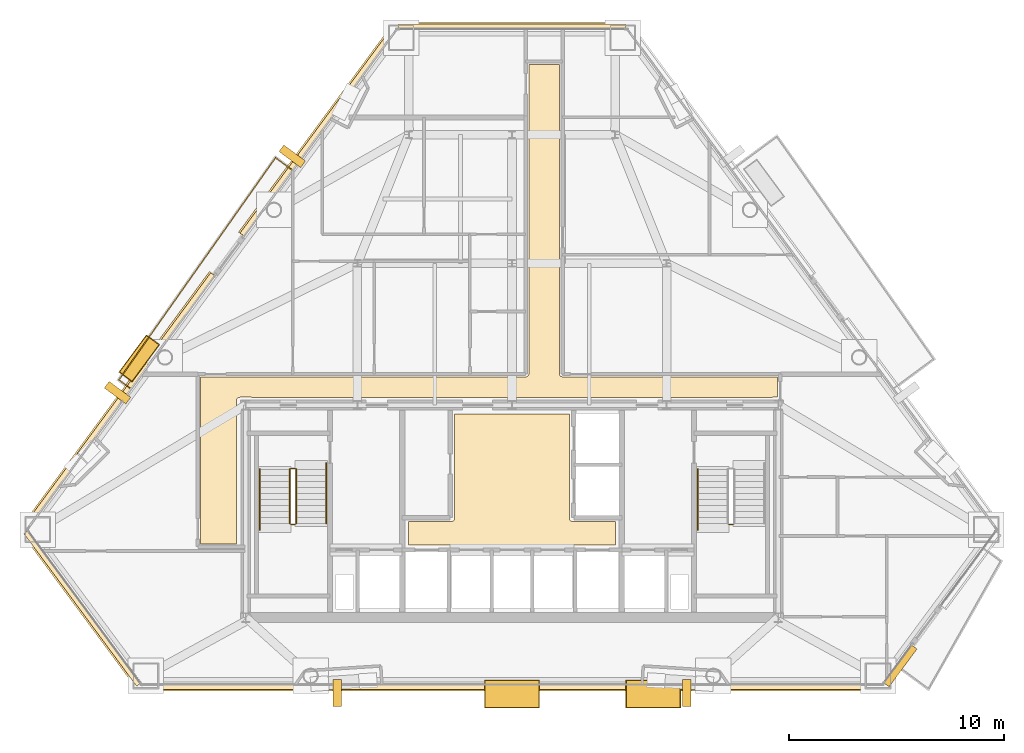
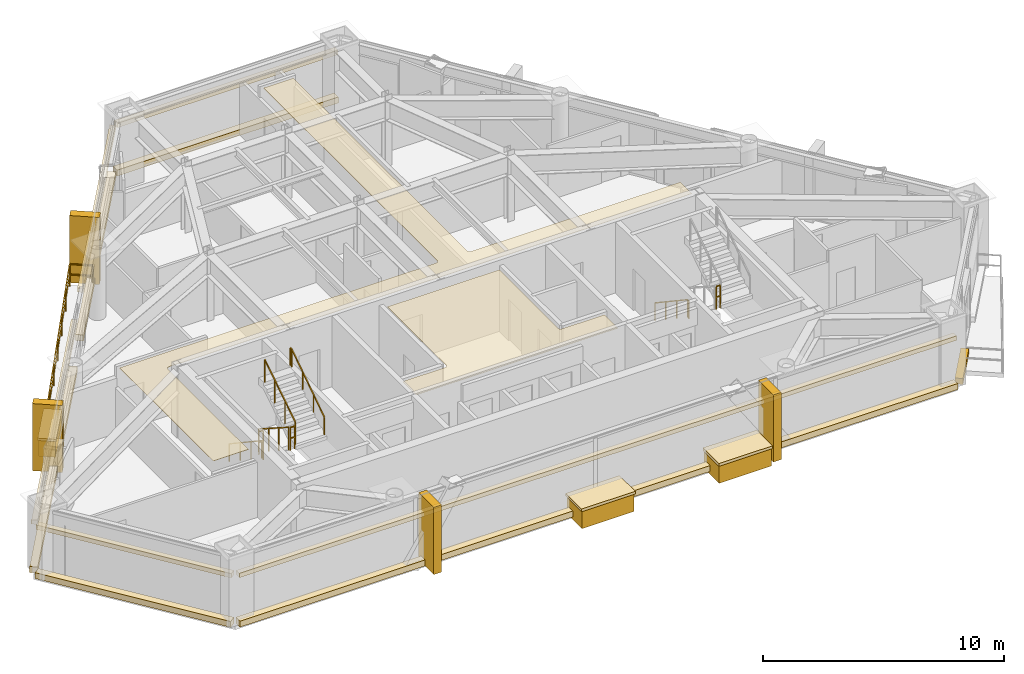
# One storey, part 10 of 11: 23 coverings, 9 railings.
"""IFC4 building model written with IfcOpenShell, lengths in metres."""

from ifc_helpers import new_model, si_unit, direction, frame, origin, origin_2d, place, context, subcontext, project, spatial, polyline, rectangle, outline, extrude, material, layer, layer_set, type_object, element, save


model = new_model("IFC4")

# Units and contexts
model_context = context("Model", 3, precision=1e-05, world=origin(), true_north=direction((0.0, 1.0)))
body_context = subcontext(model_context, "Body", "Model", "MODEL_VIEW")
ifc_project = project(units=[si_unit("LENGTHUNIT", "METRE"), si_unit("AREAUNIT", "SQUARE_METRE"), si_unit("VOLUMEUNIT", "CUBIC_METRE"), si_unit("PLANEANGLEUNIT", "RADIAN"), si_unit("MASSUNIT", "GRAM", prefix="KILO")], contexts=[model_context])

# Site, building, storey
site_placement = place(None, origin())
site = spatial("IfcSite", under=ifc_project, at=site_placement, CompositionType="ELEMENT")
building_placement = place(site_placement, origin())
building = spatial("IfcBuilding", under=site, at=building_placement, Name="Talgorran Terracotta Tower", CompositionType="ELEMENT")
storey_placement = place(building_placement, frame((0.0, 0.0, 140.10009765625)))
storey = spatial("IfcBuildingStorey", under=building, at=storey_placement, Name="L36", CompositionType="ELEMENT", Elevation=140.10009765625)

# Coverings
ifc_material_1 = material(Name="Kiln-Fired Terracotta Ochre Ceramic", Category="masonry")
ifc_layer_1 = layer(ifc_material_1, 0.179931640625, Name="COV_BAGUETTE_TERRACOTTA_SCREEN")
ifc_layer_set_1 = layer_set([ifc_layer_1], Name="Kiln-Fired Terracotta Ochre Ceramic")
covering_type_1 = type_object("IfcCoveringType", Name="COV_BAGUETTE_TERRACOTTA_SCREEN", PredefinedType="CLADDING", material=ifc_layer_set_1)
covering_1_placement = place(storey_placement, frame((-20.006591796875, -13.6689453125, 2.41015625), z_axis=(0.0, 0.0, 1.0), x_axis=(0.594359699802, -0.804199320598, 0.0)))
element("IfcCovering", 1, at=covering_1_placement, inside=storey, type_object=covering_type_1, Name="L36 Terracotta Baguette Solar Screen Assembly F0", PredefinedType="CLADDING", context=body_context, shape_type="SweptSolid", body=[
    extrude(rectangle(XDim=8.836181640625, YDim=0.260009765625, at=origin_2d()), origin(), (0.0, 0.0, 1.0), 0.219970703125),
])
covering_2_placement = place(storey_placement, frame((0.0, -17.31884765625, 2.41015625), z_axis=(0.0, 0.0, 1.0), x_axis=(1.0, 0.0, 0.0)))
element("IfcCovering", 2, at=covering_2_placement, inside=storey, type_object=covering_type_1, Name="L36 Terracotta Baguette Solar Screen Assembly F1", PredefinedType="CLADDING", context=body_context, shape_type="SweptSolid", body=[
    extrude(rectangle(XDim=34.377197265625, YDim=0.260009765625, at=origin_2d()), origin(), (0.0, 0.0, 1.0), 0.219970703125),
])
covering_3_placement = place(storey_placement, frame((0.0, 13.41357421875, 2.41015625), z_axis=(0.0, 0.0, 1.0), x_axis=(-1.0, 0.0, 0.0)))
element("IfcCovering", 3, at=covering_3_placement, inside=storey, type_object=covering_type_1, Name="L36 Terracotta Baguette Solar Screen Assembly F4", PredefinedType="CLADDING", context=body_context, shape_type="SweptSolid", body=[
    extrude(rectangle(XDim=10.586669921875, YDim=0.260009765625, at=origin_2d()), origin(), (0.0, 0.0, 1.0), 0.219970703125),
])
covering_4_placement = place(storey_placement, frame((-9.037109375, 8.510986328125, 2.41015625), z_axis=(0.0, 0.0, 1.0), x_axis=(-0.594359699802, -0.804199320598, 0.0)))
element("IfcCovering", 4, at=covering_4_placement, inside=storey, type_object=covering_type_1, Name="L36 Terracotta Baguette Solar Screen Assembly F60", PredefinedType="CLADDING", context=body_context, shape_type="SweptSolid", body=[
    extrude(rectangle(XDim=11.871337890625, YDim=0.260009765625, at=origin_2d()), origin(), (0.0, 0.0, 1.0), 0.219970703125),
])
covering_5_placement = place(storey_placement, frame((-18.2705078125, -3.982421875, 2.41015625), z_axis=(0.0, 0.0, 1.0), x_axis=(-0.594359699802, -0.804199320598, 0.0)))
element("IfcCovering", 5, at=covering_5_placement, inside=storey, type_object=covering_type_1, Name="L36 Terracotta Baguette Solar Screen Assembly F61", PredefinedType="CLADDING", context=body_context, shape_type="SweptSolid", body=[
    extrude(rectangle(XDim=14.598388671875, YDim=0.260009765625, at=origin_2d()), origin(), (0.0, 0.0, 1.0), 0.219970703125),
])
ifc_material_2 = material(Name="Mineral Fibre Acoustic Tile")
ifc_layer_2 = layer(ifc_material_2, 0.02490234375, Name="COV_CEIL_ACOUSTIC")
ifc_layer_set_2 = layer_set([ifc_layer_2], Name="Mineral Fibre Acoustic Tile")
covering_type_2 = type_object("IfcCoveringType", Name="COV_CEIL_ACOUSTIC", PredefinedType="CEILING", material=ifc_layer_set_2)
covering_6_placement = place(storey_placement, frame((0.0, 0.0, 3.260009765625)))
element("IfcCovering", 6, at=covering_6_placement, inside=storey, type_object=covering_type_2, Name="CEIL-L36-2", PredefinedType="CEILING", context=body_context, shape_type="SweptSolid", body=[
    extrude(outline(polyline([(-12.6884765625, -3.84521484375), (-12.703369140625, -3.84521484375), (-12.715087890625, -3.845947265625), (-12.7265625, -3.84765625), (-12.73779296875, -3.8505859375), (-12.748779296875, -3.8544921875), (-12.75927734375, -3.859375), (-12.76708984375, -3.863525390625), (-12.777099609375, -3.86962890625), (-12.78662109375, -3.876708984375), (-12.79541015625, -3.884521484375), (-12.803466796875, -3.893310546875), (-12.810302734375, -3.90283203125), (-12.81640625, -3.9130859375), (-12.820556640625, -3.920654296875), (-12.82568359375, -3.931396484375), (-12.82958984375, -3.9423828125), (-12.83251953125, -3.953857421875), (-12.833984375, -3.96533203125), (-12.834716796875, -3.97705078125), (-12.8349609375, -10.6650390625), (-14.514892578125, -10.6650390625), (-14.514892578125, -2.885009765625), (0.64990234375, -2.885009765625), (0.66162109375, -2.884521484375), (0.67333984375, -2.8828125), (0.6845703125, -2.8798828125), (0.69287109375, -2.87744140625), (0.7041015625, -2.87353515625), (0.714599609375, -2.868408203125), (0.724853515625, -2.8623046875), (0.734375, -2.85546875), (0.742919921875, -2.847412109375), (0.7509765625, -2.8388671875), (0.756591796875, -2.83203125), (0.763671875, -2.822509765625), (0.769775390625, -2.8125), (0.774658203125, -2.8017578125), (0.77880859375, -2.79052734375), (0.781494140625, -2.779296875), (0.783203125, -2.767578125), (0.783935546875, -2.755615234375), (0.784912109375, 11.6650390625), (2.215087890625, 11.6650390625), (2.215087890625, -2.75), (2.215576171875, -2.76171875), (2.21728515625, -2.773193359375), (2.22021484375, -2.78466796875), (2.22265625, -2.79296875), (2.2265625, -2.803955078125), (2.231689453125, -2.814697265625), (2.237548828125, -2.82470703125), (2.24462890625, -2.834228515625), (2.25244140625, -2.843017578125), (2.26123046875, -2.850830078125), (2.26806640625, -2.8564453125), (2.277587890625, -2.863525390625), (2.28759765625, -2.86962890625), (2.29833984375, -2.874755859375), (2.309326171875, -2.878662109375), (2.32080078125, -2.881591796875), (2.33251953125, -2.88330078125), (2.34423828125, -2.8837890625), (12.364990234375, -2.885009765625), (12.364990234375, -3.830078125), (12.169921875, -3.830078125), (12.158203125, -3.83056640625), (12.146484375, -3.832275390625), (12.13525390625, -3.835205078125), (12.1240234375, -3.839111328125), (12.11328125, -3.84423828125), (12.112060546875, -3.844970703125), (7.432861328125, -3.844970703125), (6.968017578125, -3.843017578125), (6.967529296875, -3.843017578125), (0.232666015625, -3.844970703125), (-0.23193359375, -3.843017578125), (-0.232421875, -3.843017578125), (-6.96728515625, -3.844970703125), (-7.431884765625, -3.843017578125), (-7.4326171875, -3.843017578125), (-12.112060546875, -3.844970703125), (-12.11328125, -3.84423828125), (-12.1240234375, -3.839111328125), (-12.13525390625, -3.835205078125), (-12.146484375, -3.832275390625), (-12.158203125, -3.83056640625), (-12.169921875, -3.830078125), (-12.6298828125, -3.830078125), (-12.641845703125, -3.83056640625), (-12.6533203125, -3.832275390625), (-12.664794921875, -3.835205078125), (-12.67578125, -3.839111328125), (-12.6865234375, -3.84423828125), (-12.6884765625, -3.84521484375)])), origin(), (0.0, 0.0, 1.0), 0.019775390625),
])
ifc_material_3 = material(Name="Flush Moisture-Resistant Plaster")
ifc_layer_3 = layer(ifc_material_3, 0.01806640625, Name="COV_CEIL_PLASTER")
ifc_layer_set_3 = layer_set([ifc_layer_3], Name="Flush Moisture-Resistant Plaster")
covering_type_3 = type_object("IfcCoveringType", Name="COV_CEIL_PLASTER", PredefinedType="CEILING", material=ifc_layer_set_3)
covering_7_placement = place(storey_placement, frame((0.0, 0.0, 3.260009765625)))
element("IfcCovering", 7, at=covering_7_placement, inside=storey, type_object=covering_type_3, Name="CEIL-L36-1", PredefinedType="CEILING", context=body_context, shape_type="SweptSolid", body=[
    extrude(outline(polyline([(-4.830078125, -9.6201171875), (-2.800048828125, -9.6201171875), (-2.7880859375, -9.619384765625), (-2.776611328125, -9.61767578125), (-2.76513671875, -9.61474609375), (-2.754150390625, -9.61083984375), (-2.743408203125, -9.605712890625), (-2.7333984375, -9.599853515625), (-2.723876953125, -9.5927734375), (-2.715087890625, -9.5849609375), (-2.707275390625, -9.576171875), (-2.7001953125, -9.566650390625), (-2.694091796875, -9.556640625), (-2.689208984375, -9.5458984375), (-2.685302734375, -9.534912109375), (-2.682373046875, -9.5234375), (-2.6806640625, -9.51171875), (-2.679931640625, -9.5), (-2.679931640625, -4.6201171875), (2.679931640625, -4.6201171875), (2.679931640625, -9.5), (2.6806640625, -9.51171875), (2.682373046875, -9.5234375), (2.685302734375, -9.534912109375), (2.689208984375, -9.5458984375), (2.694091796875, -9.556640625), (2.7001953125, -9.566650390625), (2.707275390625, -9.576171875), (2.715087890625, -9.5849609375), (2.723876953125, -9.5927734375), (2.7333984375, -9.599853515625), (2.743408203125, -9.605712890625), (2.754150390625, -9.61083984375), (2.76513671875, -9.61474609375), (2.776611328125, -9.61767578125), (2.7880859375, -9.619384765625), (2.800048828125, -9.6201171875), (4.830078125, -9.6201171875), (4.830078125, -10.72998046875), (-4.830078125, -10.72998046875), (-4.830078125, -9.6201171875)])), origin(), (0.0, 0.0, 1.0), 0.019775390625),
])
ifc_material_4 = material(Name="Honed Limestone and Terracotta Planter", Category="masonry")
ifc_layer_4 = layer(ifc_material_4, 0.1201171875, Name="COV_PLANTER_BOX")
ifc_layer_set_4 = layer_set([ifc_layer_4], Name="Honed Limestone and Terracotta Planter")
covering_type_4 = type_object("IfcCoveringType", Name="COV_PLANTER_BOX", PredefinedType="CLADDING", material=ifc_layer_set_4)
for number, where, z_axis, x_axis, name in (
    (8, (0.0, -17.658935546875, -0.18017578125), (0.0, 0.0, 1.0), (1.0, 0.0, 0.0), "L36 Staggered South Facade Planter Box 1"),
    (9, (6.581298828125, -17.658935546875, -0.18017578125), (0.0, 0.0, 1.0), (1.0, 0.0, 0.0), "L36 Staggered South Facade Planter Box 2"),
):
    element("IfcCovering", number, at=place(storey_placement, frame(where, z_axis=z_axis, x_axis=x_axis)), inside=storey, type_object=covering_type_4, Name=name, PredefinedType="CLADDING", context=body_context, shape_type="SweptSolid", body=[
        extrude(rectangle(XDim=2.5, YDim=1.25, at=origin_2d()), origin(), (0.0, 0.0, 1.0), 0.919921875),
    ])
covering_8_placement = place(storey_placement, frame((-17.365478515625, -2.02587890625, -0.02001953125), z_axis=(0.0, 0.0, 1.0), x_axis=(-0.594359699802, -0.804199320598, 0.0)))
element("IfcCovering", 10, at=covering_8_placement, inside=storey, type_object=covering_type_4, Name="L36 Staggered Balcony Planter Box BAL-NW", PredefinedType="CLADDING", context=body_context, shape_type="SweptSolid", body=[
    extrude(rectangle(XDim=2.10009765625, YDim=0.719970703125, at=origin_2d()), origin(), (0.0, 0.0, 1.0), 0.860107421875),
])
ifc_material_5 = material(Name="Kiln-Fired Terracotta Planter Rim", Category="masonry")
ifc_layer_5 = layer(ifc_material_5, 0.10009765625, Name="COV_PLANTER_RIM")
ifc_layer_set_5 = layer_set([ifc_layer_5], Name="Kiln-Fired Terracotta Planter Rim")
covering_type_5 = type_object("IfcCoveringType", Name="COV_PLANTER_RIM", PredefinedType="CLADDING", material=ifc_layer_set_5)
for number, where, z_axis, x_axis, name in (
    (11, (0.0, -17.658935546875, 0.7099609375), (0.0, 0.0, 1.0), (1.0, 0.0, 0.0), "L36 South Planter Terracotta Rim 1"),
    (12, (6.581298828125, -17.658935546875, 0.7099609375), (0.0, 0.0, 1.0), (1.0, 0.0, 0.0), "L36 South Planter Terracotta Rim 2"),
):
    element("IfcCovering", number, at=place(storey_placement, frame(where, z_axis=z_axis, x_axis=x_axis)), inside=storey, type_object=covering_type_5, Name=name, PredefinedType="CLADDING", context=body_context, shape_type="SweptSolid", body=[
        extrude(rectangle(XDim=2.580078125, YDim=1.320068359375, at=origin_2d()), origin(), (0.0, 0.0, 1.0), 0.139892578125),
    ])
covering_9_placement = place(storey_placement, frame((-17.365478515625, -2.02587890625, 0.7998046875), z_axis=(0.0, 0.0, 1.0), x_axis=(-0.594359699802, -0.804199320598, 0.0)))
element("IfcCovering", 13, at=covering_9_placement, inside=storey, type_object=covering_type_5, Name="L36 Balcony Planter Terracotta Rim BAL-NW", PredefinedType="CLADDING", context=body_context, shape_type="SweptSolid", body=[
    extrude(rectangle(XDim=2.179931640625, YDim=0.780029296875, at=origin_2d()), origin(), (0.0, 0.0, 1.0), 0.1201171875),
])
ifc_material_6 = material(Name="Honed Limestone Cladding", Category="masonry")
ifc_layer_6 = layer(ifc_material_6, 0.094970703125, Name="COV_PORTAL_LIME")
ifc_layer_set_6 = layer_set([ifc_layer_6], Name="Honed Limestone Cladding")
covering_type_6 = type_object("IfcCoveringType", Name="COV_PORTAL_LIME", PredefinedType="CLADDING", material=ifc_layer_set_6)
covering_10_placement = place(storey_placement, frame((-20.038818359375, -13.69287109375, -0.0400390625), z_axis=(0.0, 0.0, 1.0), x_axis=(0.594359699802, -0.804199320598, 0.0)))
element("IfcCovering", 14, at=covering_10_placement, inside=storey, type_object=covering_type_6, Name="L36 Striped Postmodern Portal Cladding Band F0", PredefinedType="CLADDING", context=body_context, shape_type="SweptSolid", body=[
    extrude(rectangle(XDim=8.856201171875, YDim=0.340087890625, at=origin_2d()), origin(), (0.0, 0.0, 1.0), 0.300048828125),
])
covering_11_placement = place(storey_placement, frame((0.0, -17.35888671875, -0.0400390625), z_axis=(0.0, 0.0, 1.0), x_axis=(1.0, 0.0, 0.0)))
element("IfcCovering", 15, at=covering_11_placement, inside=storey, type_object=covering_type_6, Name="L36 Striped Postmodern Portal Cladding Band F1", PredefinedType="CLADDING", context=body_context, shape_type="SweptSolid", body=[
    extrude(rectangle(XDim=34.397216796875, YDim=0.340087890625, at=origin_2d()), origin(), (0.0, 0.0, 1.0), 0.300048828125),
])
covering_12_placement = place(storey_placement, frame((18.080810546875, -16.341796875, -0.0400390625), z_axis=(0.0, 0.0, 1.0), x_axis=(0.594359699802, 0.804199320598, 0.0)))
element("IfcCovering", 16, at=covering_12_placement, inside=storey, type_object=covering_type_6, Name="L36 Striped Postmodern Portal Cladding Band F30", PredefinedType="CLADDING", context=body_context, shape_type="SweptSolid", body=[
    extrude(rectangle(XDim=2.18798828125, YDim=0.340087890625, at=origin_2d()), origin(), (0.0, 0.0, 1.0), 0.300048828125),
])
covering_13_placement = place(storey_placement, frame((0.0, 13.45361328125, -0.0400390625), z_axis=(0.0, 0.0, 1.0), x_axis=(-1.0, 0.0, 0.0)))
element("IfcCovering", 17, at=covering_13_placement, inside=storey, type_object=covering_type_6, Name="L36 Striped Postmodern Portal Cladding Band F4", PredefinedType="CLADDING", context=body_context, shape_type="SweptSolid", body=[
    extrude(rectangle(XDim=10.606689453125, YDim=0.340087890625, at=origin_2d()), origin(), (0.0, 0.0, 1.0), 0.300048828125),
])
covering_14_placement = place(storey_placement, frame((-9.069091796875, 8.53466796875, -0.0400390625), z_axis=(0.0, 0.0, 1.0), x_axis=(-0.594359699802, -0.804199320598, 0.0)))
element("IfcCovering", 18, at=covering_14_placement, inside=storey, type_object=covering_type_6, Name="L36 Striped Postmodern Portal Cladding Band F60", PredefinedType="CLADDING", context=body_context, shape_type="SweptSolid", body=[
    extrude(rectangle(XDim=11.891357421875, YDim=0.340087890625, at=origin_2d()), origin(), (0.0, 0.0, 1.0), 0.300048828125),
])
covering_15_placement = place(storey_placement, frame((-18.302490234375, -3.95849609375, -0.0400390625), z_axis=(0.0, 0.0, 1.0), x_axis=(-0.594359699802, -0.804199320598, 0.0)))
element("IfcCovering", 19, at=covering_15_placement, inside=storey, type_object=covering_type_6, Name="L36 Striped Postmodern Portal Cladding Band F61", PredefinedType="CLADDING", context=body_context, shape_type="SweptSolid", body=[
    extrude(rectangle(XDim=14.618408203125, YDim=0.340087890625, at=origin_2d()), origin(), (0.0, 0.0, 1.0), 0.300048828125),
])
for number, where, z_axis, x_axis, name in (
    (20, (8.139892578125, -17.618896484375, -0.050048828125), (0.0, 0.0, 1.0), (1.0, 0.0, 0.0), "L36 White Striped Portal Fin F1-2"),
    (21, (-18.37841796875, -3.623779296875, -0.050048828125), (0.0, 0.0, 1.0), (-0.594359699802, -0.804199320598, 0.0), "L36 White Striped Portal Fin F5-2"),
):
    element("IfcCovering", number, at=place(storey_placement, frame(where, z_axis=z_axis, x_axis=x_axis)), inside=storey, type_object=covering_type_6, Name=name, PredefinedType="CLADDING", context=body_context, shape_type="SweptSolid", body=[
        extrude(rectangle(XDim=0.3798828125, YDim=1.25, at=origin_2d()), origin(), (0.0, 0.0, 1.0), 3.39990234375),
    ])
ifc_material_7 = material(Name="Kiln-Fired Terracotta Cladding", Category="masonry")
ifc_layer_7 = layer(ifc_material_7, 0.090087890625, Name="COV_PORTAL_TERRA")
ifc_layer_set_7 = layer_set([ifc_layer_7], Name="Kiln-Fired Terracotta Cladding")
covering_type_7 = type_object("IfcCoveringType", Name="COV_PORTAL_TERRA", PredefinedType="CLADDING", material=ifc_layer_set_7)
for number, where, z_axis, x_axis, name in (
    (22, (-8.139892578125, -17.618896484375, -0.050048828125), (0.0, 0.0, 1.0), (1.0, 0.0, 0.0), "L36 Terracotta Striped Portal Fin F1-1"),
    (23, (-10.238525390625, 7.389892578125, -0.050048828125), (0.0, 0.0, 1.0), (-0.594359699802, -0.804199320598, 0.0), "L36 Terracotta Striped Portal Fin F5-1"),
):
    element("IfcCovering", number, at=place(storey_placement, frame(where, z_axis=z_axis, x_axis=x_axis)), inside=storey, type_object=covering_type_7, Name=name, PredefinedType="CLADDING", context=body_context, shape_type="SweptSolid", body=[
        extrude(rectangle(XDim=0.3798828125, YDim=1.25, at=origin_2d()), origin(), (0.0, 0.0, 1.0), 3.39990234375),
    ])

# Railings
ifc_material_8 = material(Name="Laminated Glass and Stainless Steel 316", Category="steel")
railing_type_1 = type_object("IfcRailingType", Name="RL_BALCONY_1150", PredefinedType="BALUSTRADE", material=ifc_material_8)
railing_1_placement = place(storey_placement, frame((-10.240234375, 6.748291015625, 0.0)))
element("IfcRailing", 24, at=railing_1_placement, inside=storey, type_object=railing_type_1, Name="RL-L36-BAL-BAL-NW", PredefinedType="BALUSTRADE", context=body_context, shape_type="SweptSolid", body=[
    extrude(rectangle(XDim=0.048095703125, YDim=0.048095703125, at=origin_2d()), frame((0.0, 0.0, 1.1259765625), z_axis=(-0.804218080691, 0.594334315592, 0.0), x_axis=(-0.594334315592, -0.804218080691, 0.0)), (0.0, 0.0, 1.0), 0.9677734375),
    extrude(rectangle(XDim=0.048095703125, YDim=0.048095703125, at=origin_2d()), frame((0.0, 0.0, 0.597900390625), z_axis=(-0.804218080691, 0.594334315592, 0.0), x_axis=(-0.594334315592, -0.804218080691, 0.0)), (0.0, 0.0, 1.0), 0.9677734375),
    extrude(rectangle(XDim=0.048095703125, YDim=0.048095703125, at=origin_2d()), frame((-0.7783203125, 0.5751953125, 1.1259765625), z_axis=(-0.576247164836, -0.817275476824, 0.0), x_axis=(0.817275476824, -0.576247164836, 0.0)), (0.0, 0.0, 1.0), 12.66455078125),
    extrude(rectangle(XDim=0.048095703125, YDim=0.048095703125, at=origin_2d()), frame((-0.7783203125, 0.5751953125, 0.597900390625), z_axis=(-0.576247164836, -0.817275476824, 0.0), x_axis=(0.817275476824, -0.576247164836, 0.0)), (0.0, 0.0, 1.0), 12.66455078125),
    extrude(rectangle(XDim=0.048095703125, YDim=0.048095703125, at=origin_2d()), frame((-8.076171875, -9.775146484375, 1.1259765625), z_axis=(0.804257631428, -0.594280794145, 0.0), x_axis=(0.594280794145, 0.804257631428, 0.0)), (0.0, 0.0, 1.0), 0.684814453125),
    extrude(rectangle(XDim=0.048095703125, YDim=0.048095703125, at=origin_2d()), frame((-8.076171875, -9.775146484375, 0.597900390625), z_axis=(0.804257631428, -0.594280794145, 0.0), x_axis=(0.594280794145, 0.804257631428, 0.0)), (0.0, 0.0, 1.0), 0.684814453125),
    extrude(rectangle(XDim=0.0419921875, YDim=0.0419921875, at=origin_2d()), origin(), (0.0, 0.0, 1.0), 1.101806640625),
    extrude(rectangle(XDim=0.0419921875, YDim=0.0419921875, at=origin_2d()), frame((-0.7783203125, 0.5751953125, 0.0)), (0.0, 0.0, 1.0), 1.101806640625),
    extrude(rectangle(XDim=0.0419921875, YDim=0.0419921875, at=origin_2d()), frame((-1.82080078125, -0.9033203125, 0.0)), (0.0, 0.0, 1.0), 1.101806640625),
    extrude(rectangle(XDim=0.0419921875, YDim=0.0419921875, at=origin_2d()), frame((-2.863525390625, -2.382080078125, 0.0)), (0.0, 0.0, 1.0), 1.101806640625),
    extrude(rectangle(XDim=0.0419921875, YDim=0.0419921875, at=origin_2d()), frame((-3.906005859375, -3.860595703125, 0.0)), (0.0, 0.0, 1.0), 1.101806640625),
    extrude(rectangle(XDim=0.0419921875, YDim=0.0419921875, at=origin_2d()), frame((-4.948486328125, -5.33935546875, 0.0)), (0.0, 0.0, 1.0), 1.101806640625),
    extrude(rectangle(XDim=0.0419921875, YDim=0.0419921875, at=origin_2d()), frame((-5.990966796875, -6.81787109375, 0.0)), (0.0, 0.0, 1.0), 1.101806640625),
    extrude(rectangle(XDim=0.0419921875, YDim=0.0419921875, at=origin_2d()), frame((-7.03369140625, -8.296630859375, 0.0)), (0.0, 0.0, 1.0), 1.101806640625),
    extrude(rectangle(XDim=0.0419921875, YDim=0.0419921875, at=origin_2d()), frame((-8.076171875, -9.775146484375, 0.0)), (0.0, 0.0, 1.0), 1.101806640625),
    extrude(rectangle(XDim=0.0419921875, YDim=0.0419921875, at=origin_2d()), frame((-7.525390625, -10.18212890625, 0.0)), (0.0, 0.0, 1.0), 1.101806640625),
])
ifc_material_9 = material(Name="Steel S355 (300PLUS)", Category="steel")
railing_type_2 = type_object("IfcRailingType", Name="RL_HANDRAIL_920", PredefinedType="HANDRAIL", material=ifc_material_9)
railing_2_placement = place(storey_placement, frame((-11.75, -7.199951171875, 0.179931640625)))
element("IfcRailing", 25, at=railing_2_placement, inside=storey, type_object=railing_type_2, Name="L36 ST-01 stair handrail 1", PredefinedType="HANDRAIL", context=body_context, shape_type="SweptSolid", body=[
    extrude(rectangle(XDim=0.048095703125, YDim=0.048095703125, at=origin_2d()), frame((0.0, 0.0, 0.89599609375), z_axis=(0.0, -0.832038719335, 0.554717558338), x_axis=(1.0, 0.0, 0.0)), (0.0, 0.0, 1.0), 3.244873046875),
    extrude(rectangle(XDim=0.048095703125, YDim=0.048095703125, at=origin_2d()), frame((0.0, -2.699951171875, 2.69580078125), z_axis=(0.0, -1.0, 0.0), x_axis=(1.0, 0.0, 0.0)), (0.0, 0.0, 1.0), 0.1201171875),
    extrude(rectangle(XDim=0.0419921875, YDim=0.0419921875, at=origin_2d()), origin(), (0.0, 0.0, 1.0), 0.871826171875),
    extrude(rectangle(XDim=0.0419921875, YDim=0.0419921875, at=origin_2d()), frame((0.0, -0.89990234375, 0.60009765625)), (0.0, 0.0, 1.0), 0.871826171875),
    extrude(rectangle(XDim=0.0419921875, YDim=0.0419921875, at=origin_2d()), frame((0.0, -1.800048828125, 1.199951171875)), (0.0, 0.0, 1.0), 0.871826171875),
    extrude(rectangle(XDim=0.0419921875, YDim=0.0419921875, at=origin_2d()), frame((0.0, -2.699951171875, 1.800048828125)), (0.0, 0.0, 1.0), 0.871826171875),
    extrude(rectangle(XDim=0.0419921875, YDim=0.0419921875, at=origin_2d()), frame((0.0, -2.820068359375, 1.800048828125)), (0.0, 0.0, 1.0), 0.871826171875),
])
railing_3_placement = place(storey_placement, frame((-8.64990234375, -9.719970703125, 1.97998046875)))
element("IfcRailing", 26, at=railing_3_placement, inside=storey, type_object=railing_type_2, Name="L36 ST-01 stair handrail 2", PredefinedType="HANDRAIL", context=body_context, shape_type="SweptSolid", body=[
    extrude(rectangle(XDim=0.048095703125, YDim=0.048095703125, at=origin_2d()), frame((0.0, 0.0, 0.89599609375), z_axis=(0.0, 0.832073444223, 0.554665469827), x_axis=(-1.0, 0.0, 0.0)), (0.0, 0.0, 1.0), 3.244873046875),
    extrude(rectangle(XDim=0.048095703125, YDim=0.048095703125, at=origin_2d()), frame((0.0, 2.699951171875, 2.69580078125), z_axis=(0.0, 1.0, 0.0), x_axis=(-1.0, 0.0, 0.0)), (0.0, 0.0, 1.0), 0.1201171875),
    extrude(rectangle(XDim=0.0419921875, YDim=0.0419921875, at=origin_2d()), origin(), (0.0, 0.0, 1.0), 0.871826171875),
    extrude(rectangle(XDim=0.0419921875, YDim=0.0419921875, at=origin_2d()), frame((0.0, 0.89990234375, 0.599853515625)), (0.0, 0.0, 1.0), 0.871826171875),
    extrude(rectangle(XDim=0.0419921875, YDim=0.0419921875, at=origin_2d()), frame((0.0, 1.800048828125, 1.199951171875)), (0.0, 0.0, 1.0), 0.871826171875),
    extrude(rectangle(XDim=0.0419921875, YDim=0.0419921875, at=origin_2d()), frame((0.0, 2.699951171875, 1.7998046875)), (0.0, 0.0, 1.0), 0.871826171875),
    extrude(rectangle(XDim=0.0419921875, YDim=0.0419921875, at=origin_2d()), frame((0.0, 2.820068359375, 1.7998046875)), (0.0, 0.0, 1.0), 0.871826171875),
])
railing_4_placement = place(storey_placement, frame((8.64990234375, -7.199951171875, 0.179931640625)))
element("IfcRailing", 27, at=railing_4_placement, inside=storey, type_object=railing_type_2, Name="L36 ST-02 stair handrail 1", PredefinedType="HANDRAIL", context=body_context, shape_type="SweptSolid", body=[
    extrude(rectangle(XDim=0.048095703125, YDim=0.048095703125, at=origin_2d()), frame((0.0, 0.0, 0.89599609375), z_axis=(0.0, -0.832038719335, 0.554717558338), x_axis=(1.0, 0.0, 0.0)), (0.0, 0.0, 1.0), 3.244873046875),
    extrude(rectangle(XDim=0.048095703125, YDim=0.048095703125, at=origin_2d()), frame((0.0, -2.699951171875, 2.69580078125), z_axis=(0.0, -1.0, 0.0), x_axis=(1.0, 0.0, 0.0)), (0.0, 0.0, 1.0), 0.1201171875),
    extrude(rectangle(XDim=0.0419921875, YDim=0.0419921875, at=origin_2d()), origin(), (0.0, 0.0, 1.0), 0.871826171875),
    extrude(rectangle(XDim=0.0419921875, YDim=0.0419921875, at=origin_2d()), frame((0.0, -0.89990234375, 0.60009765625)), (0.0, 0.0, 1.0), 0.871826171875),
    extrude(rectangle(XDim=0.0419921875, YDim=0.0419921875, at=origin_2d()), frame((0.0, -1.800048828125, 1.199951171875)), (0.0, 0.0, 1.0), 0.871826171875),
    extrude(rectangle(XDim=0.0419921875, YDim=0.0419921875, at=origin_2d()), frame((0.0, -2.699951171875, 1.800048828125)), (0.0, 0.0, 1.0), 0.871826171875),
    extrude(rectangle(XDim=0.0419921875, YDim=0.0419921875, at=origin_2d()), frame((0.0, -2.820068359375, 1.800048828125)), (0.0, 0.0, 1.0), 0.871826171875),
])
railing_type_3 = type_object("IfcRailingType", Name="RL_STAIR_GUARD", PredefinedType="GUARDRAIL", material=ifc_material_9)
railing_5_placement = place(storey_placement, frame((-10.35009765625, -7.199951171875, 0.179931640625)))
element("IfcRailing", 28, at=railing_5_placement, inside=storey, type_object=railing_type_3, Name="L36 ST-01 stair guard 1", PredefinedType="GUARDRAIL", context=body_context, shape_type="SweptSolid", body=[
    extrude(rectangle(XDim=0.048095703125, YDim=0.048095703125, at=origin_2d()), frame((0.0, 0.0, 1.15576171875), z_axis=(0.0, -0.841199657755, 0.540724639528), x_axis=(1.0, 0.0, 0.0)), (0.0, 0.0, 1.0), 2.995849609375),
    extrude(rectangle(XDim=0.0419921875, YDim=0.0419921875, at=origin_2d()), origin(), (0.0, 0.0, 1.0), 1.1318359375),
    extrude(rectangle(XDim=0.0419921875, YDim=0.0419921875, at=origin_2d()), frame((0.0, -0.840087890625, 0.5400390625)), (0.0, 0.0, 1.0), 1.1318359375),
    extrude(rectangle(XDim=0.0419921875, YDim=0.0419921875, at=origin_2d()), frame((0.0, -1.679931640625, 1.079833984375)), (0.0, 0.0, 1.0), 1.1318359375),
    extrude(rectangle(XDim=0.0419921875, YDim=0.0419921875, at=origin_2d()), frame((0.0, -2.52001953125, 1.619873046875)), (0.0, 0.0, 1.0), 1.1318359375),
])
railing_6_placement = place(storey_placement, frame((-10.300048828125, -9.77001953125, 1.7998046875)))
element("IfcRailing", 29, at=railing_6_placement, inside=storey, type_object=railing_type_3, Name="L36 ST-01 stair guard 2", PredefinedType="GUARDRAIL", context=body_context, shape_type="SweptSolid", body=[
    extrude(rectangle(XDim=0.048095703125, YDim=0.048095703125, at=origin_2d()), frame((0.0, 0.0, 1.15576171875), z_axis=(1.0, 0.0, 0.0), x_axis=(0.0, 1.0, 0.0)), (0.0, 0.0, 1.0), 0.199951171875),
    extrude(rectangle(XDim=0.048095703125, YDim=0.048095703125, at=origin_2d()), frame((0.0, 0.0, 0.613525390625), z_axis=(1.0, 0.0, 0.0), x_axis=(0.0, 1.0, 0.0)), (0.0, 0.0, 1.0), 0.199951171875),
    extrude(rectangle(XDim=0.0419921875, YDim=0.0419921875, at=origin_2d()), origin(), (0.0, 0.0, 1.0), 1.1318359375),
    extrude(rectangle(XDim=0.0419921875, YDim=0.0419921875, at=origin_2d()), frame((0.199951171875, 0.0, 0.0)), (0.0, 0.0, 1.0), 1.1318359375),
])
railing_7_placement = place(storey_placement, frame((-10.050048828125, -9.719970703125, 1.97998046875)))
element("IfcRailing", 30, at=railing_7_placement, inside=storey, type_object=railing_type_3, Name="L36 ST-01 stair guard 3", PredefinedType="GUARDRAIL", context=body_context, shape_type="SweptSolid", body=[
    extrude(rectangle(XDim=0.048095703125, YDim=0.048095703125, at=origin_2d()), frame((0.0, 0.0, 1.15576171875), z_axis=(0.0, 0.841199657755, 0.540724639528), x_axis=(-1.0, 0.0, 0.0)), (0.0, 0.0, 1.0), 2.995849609375),
    extrude(rectangle(XDim=0.0419921875, YDim=0.0419921875, at=origin_2d()), origin(), (0.0, 0.0, 1.0), 1.1318359375),
    extrude(rectangle(XDim=0.0419921875, YDim=0.0419921875, at=origin_2d()), frame((0.0, 0.840087890625, 0.5400390625)), (0.0, 0.0, 1.0), 1.1318359375),
    extrude(rectangle(XDim=0.0419921875, YDim=0.0419921875, at=origin_2d()), frame((0.0, 1.679931640625, 1.079833984375)), (0.0, 0.0, 1.0), 1.1318359375),
    extrude(rectangle(XDim=0.0419921875, YDim=0.0419921875, at=origin_2d()), frame((0.0, 2.52001953125, 1.619873046875)), (0.0, 0.0, 1.0), 1.1318359375),
])
for number, where, name in (
    (31, (-10.300048828125, -7.14990234375, 0.0), "L36 ST-01 stair guard 4"),
    (32, (10.10009765625, -9.77001953125, 1.7998046875), "L36 ST-02 stair guard 2"),
):
    element("IfcRailing", number, at=place(storey_placement, frame(where)), inside=storey, type_object=railing_type_3, Name=name, PredefinedType="GUARDRAIL", context=body_context, shape_type="SweptSolid", body=[
        extrude(rectangle(XDim=0.048095703125, YDim=0.048095703125, at=origin_2d()), frame((0.0, 0.0, 1.15576171875), z_axis=(1.0, 0.0, 0.0), x_axis=(0.0, 1.0, 0.0)), (0.0, 0.0, 1.0), 0.199951171875),
        extrude(rectangle(XDim=0.048095703125, YDim=0.048095703125, at=origin_2d()), frame((0.0, 0.0, 0.613525390625), z_axis=(1.0, 0.0, 0.0), x_axis=(0.0, 1.0, 0.0)), (0.0, 0.0, 1.0), 0.199951171875),
        extrude(rectangle(XDim=0.0419921875, YDim=0.0419921875, at=origin_2d()), origin(), (0.0, 0.0, 1.0), 1.1318359375),
        extrude(rectangle(XDim=0.0419921875, YDim=0.0419921875, at=origin_2d()), frame((0.199951171875, 0.0, 0.0)), (0.0, 0.0, 1.0), 1.1318359375),
    ])

save(model, "model.ifc")
